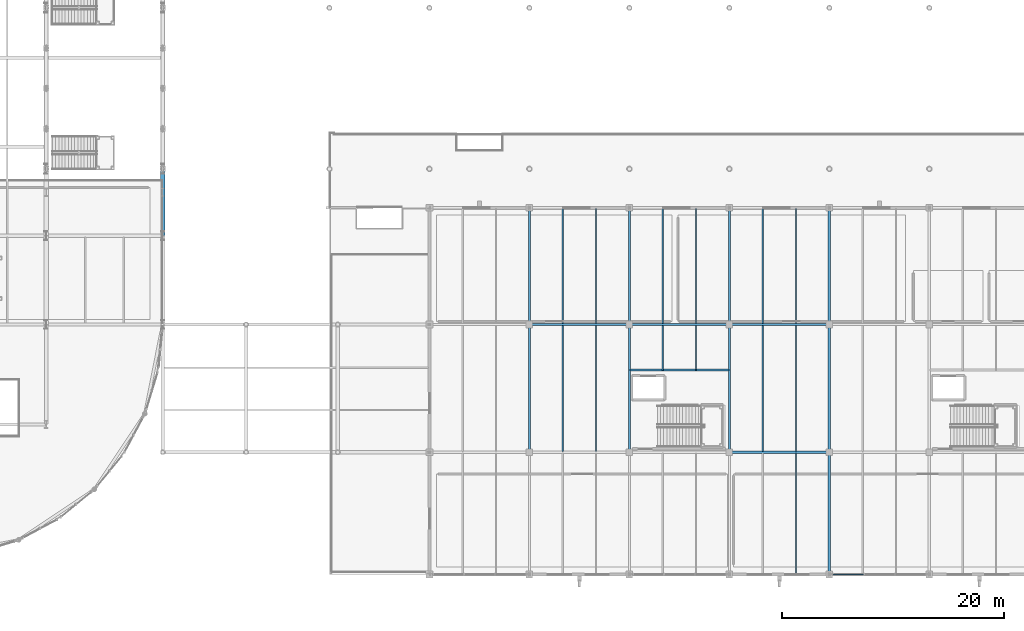
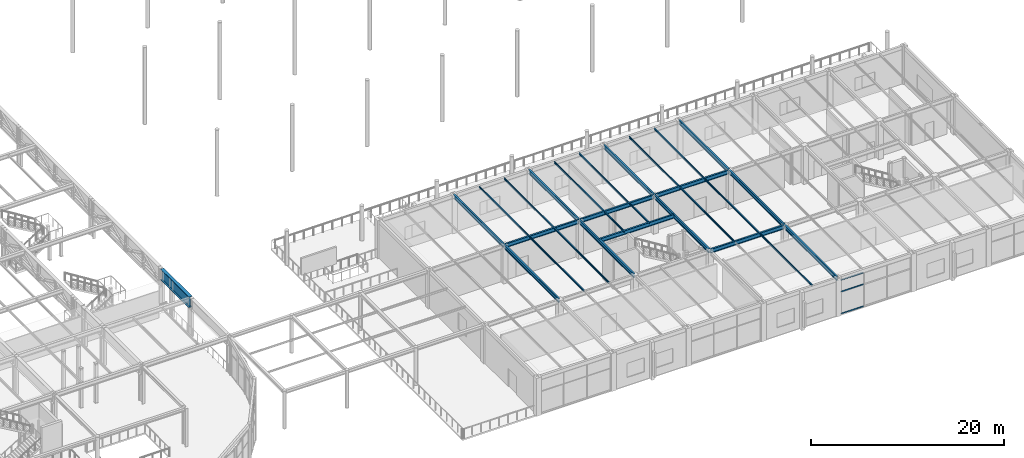
# One storey, part 56 of 143: 28 beams, 3 members, 1 element without a shape of its own.
"""IFC4 building model written with IfcOpenShell, lengths in metres."""

import ifcopenshell
import ifcopenshell.guid

model = None  # the IFC model being written
_history = None  # IfcOwnerHistory: only IFC2X3 demands one
_inside = {}  # id of a spatial element -> (the spatial element, [elements in it])
_under = {}  # id of a project, library or spatial element -> (it, [spatial elements below it])
_declared = {}  # id of a project -> (the project, [libraries it declares])
_typed = {}  # id of a type object -> (the type object, [elements of that type])
_made_of = {}  # id of a material, layer set ... -> (it, [elements and type objects made of it])


def new_model(schema):
    """Start an empty IFC model of exactly this schema.

    Asked for "IFC4X3", IfcOpenShell would pick the latest addendum, in which some entities
    have other attributes; the version numbers below select the first issue.
    IFC2X3 requires an IfcOwnerHistory on every rooted entity: one is made here for all.
    """
    global model, _history
    if schema == "IFC4X3":
        model = ifcopenshell.file(schema_version=(4, 3, 0, 0))
    else:
        model = ifcopenshell.file(schema=schema)
    _inside.clear()
    _under.clear()
    _declared.clear()
    _typed.clear()
    _made_of.clear()
    _history = None
    if model.schema == "IFC2X3":
        org = make("IfcOrganization", Name="unknown")
        user = make(
            "IfcPersonAndOrganization",
            ThePerson=make("IfcPerson", FamilyName="unknown"),
            TheOrganization=org,
        )
        app = make(
            "IfcApplication",
            ApplicationDeveloper=org,
            Version="unknown",
            ApplicationFullName="unknown",
            ApplicationIdentifier="unknown",
        )
        _history = make(
            "IfcOwnerHistory",
            OwningUser=user,
            OwningApplication=app,
            ChangeAction="ADDED",
            CreationDate=0,
        )
    return model


def make(cls, **values):
    """One entity of the class cls with the attributes given. An attribute that is None is left unset."""
    return model.create_entity(
        cls, **{name: value for name, value in values.items() if value is not None}
    )


def rooted(cls, **values):
    """An entity with a GlobalId (a new one), such as an element, a storey or a relation."""
    return make(cls, GlobalId=ifcopenshell.guid.new(), OwnerHistory=_history, **values)


def si_unit(unit_type, name, prefix=None):
    """IfcSIUnit, for example si_unit("LENGTHUNIT", "METRE", prefix="MILLI")."""
    return make("IfcSIUnit", UnitType=unit_type, Prefix=prefix, Name=name)


def assignment(units):
    """IfcUnitAssignment: the units of a project."""
    return None if units is None else make("IfcUnitAssignment", Units=units)


def point(xyz):
    """IfcCartesianPoint."""
    return None if xyz is None else make("IfcCartesianPoint", Coordinates=xyz)


def direction(xyz):
    """IfcDirection."""
    return None if xyz is None else make("IfcDirection", DirectionRatios=xyz)


def frame(location, z_axis=None, x_axis=None):
    """IfcAxis2Placement3D, a coordinate frame: its origin and axes. An axis left out is left unset."""
    return make(
        "IfcAxis2Placement3D",
        Location=point(location),
        Axis=direction(z_axis),
        RefDirection=direction(x_axis),
    )


def frame_2d(location, x_axis=None):
    """IfcAxis2Placement2D, a coordinate frame in the plane: its origin and x axis."""
    return make(
        "IfcAxis2Placement2D", Location=point(location), RefDirection=direction(x_axis)
    )


def origin():
    """The frame at (0, 0, 0) with its axes left unset."""
    return frame((0.0, 0.0, 0.0))


def origin_2d():
    """The frame at (0, 0) in the plane with its x axis left unset."""
    return frame_2d((0.0, 0.0))


def place(relative_to, where):
    """IfcLocalPlacement: puts the frame where relative to a parent placement (None: the world)."""
    return make(
        "IfcLocalPlacement", PlacementRelTo=relative_to, RelativePlacement=where
    )


def context(
    kind, dimensions, precision=None, world=None, true_north=None, identifier=None
):
    """IfcGeometricRepresentationContext, for example the 3D "Model" context."""
    return make(
        "IfcGeometricRepresentationContext",
        ContextIdentifier=identifier,
        ContextType=kind,
        CoordinateSpaceDimension=dimensions,
        Precision=precision,
        WorldCoordinateSystem=world,
        TrueNorth=true_north,
    )


def subcontext(parent, identifier, kind, view, scale=None):
    """IfcGeometricRepresentationSubContext, for example "Body" below "Model"."""
    return make(
        "IfcGeometricRepresentationSubContext",
        ContextIdentifier=identifier,
        ContextType=kind,
        ParentContext=parent,
        TargetScale=scale,
        TargetView=view,
    )


def project(units=None, contexts=None):
    """IfcProject with its units and contexts."""
    return rooted(
        "IfcProject",
        Name="project",
        RepresentationContexts=contexts,
        UnitsInContext=assignment(units),
    )


def spatial(cls, under=None, at=None, **own):
    """A site, building, storey or space (cls), placed at a placement, below another one or the project."""
    s = rooted(cls, ObjectPlacement=at, **own)
    if under is not None:
        _under.setdefault(under.id(), (under, []))[1].append(s)
    return s


def profile(cls, at=None, kind="AREA", **sizes):
    """A parametric profile (cls). Its sizes go by their IFC names, for example OverallWidth=200.0."""
    return make(cls, ProfileType=kind, Position=at, **sizes)


def hollow_rectangle(**sizes):
    """IfcRectangleHollowProfileDef."""
    return profile("IfcRectangleHollowProfileDef", **sizes)


def i_section(**sizes):
    """IfcIShapeProfileDef."""
    return profile("IfcIShapeProfileDef", **sizes)


def extrude(swept, where, along, depth):
    """IfcExtrudedAreaSolid: the profile swept, set in the frame where, extruded along a direction by depth."""
    return make(
        "IfcExtrudedAreaSolid",
        SweptArea=swept,
        Position=where,
        ExtrudedDirection=direction(along),
        Depth=depth,
    )


def shape(context_of_items, identifier, shape_type, items):
    """IfcShapeRepresentation: the items that make up one representation, for example the "Body"."""
    return make(
        "IfcShapeRepresentation",
        ContextOfItems=context_of_items,
        RepresentationIdentifier=identifier,
        RepresentationType=shape_type,
        Items=items,
    )


def material(Name=None, Category=None):
    """IfcMaterial."""
    return make("IfcMaterial", Name=Name, Category=Category)


def layer(
    of_material, thickness, ventilated=None, Name=None, Category=None, Priority=None
):
    """IfcMaterialLayer: one layer of a wall or slab, of a material (None: an air gap)."""
    return make(
        "IfcMaterialLayer",
        Material=of_material,
        LayerThickness=thickness,
        IsVentilated=ventilated,
        Name=Name,
        Category=Category,
        Priority=Priority,
    )


def layer_set(layers, Name=None):
    """IfcMaterialLayerSet."""
    return make("IfcMaterialLayerSet", MaterialLayers=layers, LayerSetName=Name)


def material_profile(
    of_material, cross_section, Name=None, Category=None, Priority=None
):
    """IfcMaterialProfile: a cross section and its material."""
    return make(
        "IfcMaterialProfile",
        Name=Name,
        Material=of_material,
        Profile=cross_section,
        Priority=Priority,
        Category=Category,
    )


def profile_set(profiles, Name=None, composite=None):
    """IfcMaterialProfileSet."""
    return make(
        "IfcMaterialProfileSet",
        Name=Name,
        MaterialProfiles=profiles,
        CompositeProfile=composite,
    )


def made_of(thing, what):
    """Note that an element or type object is made of a material, layer set ...; save() writes the relation."""
    if what is not None:
        _made_of.setdefault(what.id(), (what, []))[1].append(thing)
    return thing


def type_object(cls, material=None, **own):
    """A type object (cls), such as IfcWallType, which elements share."""
    return made_of(rooted(cls, **own), material)


def element(
    cls,
    number,
    at=None,
    inside=None,
    cuts=None,
    type_object=None,
    material=None,
    context=None,
    identifier="Body",
    shape_type=None,
    held_by="IfcProductDefinitionShape",
    body=None,
    shapes=None,
    **own,
):
    """One element of the class cls, such as IfcWall. Its Tag is "e" and its number.

    at: its placement. inside: the storey or other place that contains it. cuts: it is an
    opening in that element (IfcRelVoidsElement). A single representation is given by context,
    identifier, shape_type and body (its items); several are given by shapes. held_by: the class
    of the entity that holds the representations. save() writes the other relations.
    """
    e = rooted(cls, Tag="e%d" % number, ObjectPlacement=at, **own)
    if body is not None:
        shapes = [shape(context, identifier, shape_type, body)]
    if shapes is not None:
        e.Representation = make(held_by, Representations=shapes)
    if inside is not None:
        _inside.setdefault(inside.id(), (inside, []))[1].append(e)
    if cuts is not None:
        rooted(
            "IfcRelVoidsElement", RelatingBuildingElement=cuts, RelatedOpeningElement=e
        )
    if type_object is not None:
        _typed.setdefault(type_object.id(), (type_object, []))[1].append(e)
    return made_of(e, material)


def aggregate(whole, parts):
    """IfcRelAggregates: a whole, such as a stair, and the parts it consists of."""
    return rooted("IfcRelAggregates", RelatingObject=whole, RelatedObjects=parts)


def save(model, path):
    """Write the relations noted so far, then the file.

    IfcRelAggregates (storeys below a building ...), IfcRelContainedInSpatialStructure (elements
    in a storey), IfcRelDefinesByType, IfcRelAssociatesMaterial and IfcRelDeclares: one each for
    every whole, place, type object, material and project.
    """
    for whole, parts in _under.values():
        aggregate(whole, parts)
    for where, things in _inside.values():
        rooted(
            "IfcRelContainedInSpatialStructure",
            RelatedElements=things,
            RelatingStructure=where,
        )
    for kind, things in _typed.values():
        rooted("IfcRelDefinesByType", RelatedObjects=things, RelatingType=kind)
    for what, things in _made_of.values():
        rooted("IfcRelAssociatesMaterial", RelatedObjects=things, RelatingMaterial=what)
    for by, libraries in _declared.values():
        rooted("IfcRelDeclares", RelatingContext=by, RelatedDefinitions=libraries)
    model.write(path)


model = new_model("IFC4")

# Units and contexts
model_context = context("Model", 3, precision=1e-05, world=origin(), true_north=direction((0.0, 1.0)))
body_context = subcontext(model_context, "Body", "Model", "MODEL_VIEW")
ifc_project = project(units=[si_unit("LENGTHUNIT", "METRE"), si_unit("AREAUNIT", "SQUARE_METRE"), si_unit("VOLUMEUNIT", "CUBIC_METRE"), si_unit("PLANEANGLEUNIT", "RADIAN"), si_unit("MASSUNIT", "GRAM", prefix="KILO")], contexts=[model_context])

# Site, building, storey
site_placement = place(None, origin())
site = spatial("IfcSite", under=ifc_project, at=site_placement, CompositionType="ELEMENT")
building_placement = place(site_placement, origin())
building = spatial("IfcBuilding", under=site, at=building_placement, Name="Marlcrest Central Station", CompositionType="ELEMENT")
storey_placement = place(building_placement, frame((0.0, 0.0, 4.800048828125)))
storey = spatial("IfcBuildingStorey", under=building, at=storey_placement, Name="L01", CompositionType="ELEMENT", Elevation=4.800048828125)

# Beams
ifc_material_1 = material(Name="Steel S355", Category="steel")
ifc_material_profile_1 = material_profile(ifc_material_1, i_section(OverallWidth=0.199951171875, OverallDepth=0.5, WebThickness=0.01025390625, FlangeThickness=0.01611328125, FilletRadius=0.02099609375, at=origin_2d()), Name="IPE 500")
ifc_profile_set_1 = profile_set([ifc_material_profile_1], Name="Steel S355")
beam_type_1 = type_object("IfcBeamType", Name="BM-05", PredefinedType="BEAM", material=ifc_profile_set_1)
for number, where, z_axis, x_axis, name in (
    (1, (180.06005859375, 11.0, 4.56494140625), (1.0, 0.0, 0.0), (0.0, 1.0, 0.0), "bm-BM-05-L01-00869"),
    (2, (162.06005859375, 22.5, 4.56494140625), (1.0, 0.0, 0.0), (0.0, 1.0, 0.0), "bm-BM-05-L01-00874"),
    (3, (171.06005859375, 22.5, 4.56494140625), (1.0, 0.0, 0.0), (0.0, 1.0, 0.0), "bm-BM-05-L01-00875"),
    (4, (180.06005859375, 22.5, 4.56494140625), (1.0, 0.0, 0.0), (0.0, 1.0, 0.0), "bm-BM-05-L01-00876"),
):
    element("IfcBeam", number, at=place(storey_placement, frame(where, z_axis=z_axis, x_axis=x_axis)), inside=storey, type_object=beam_type_1, Name=name, PredefinedType="BEAM", context=body_context, shape_type="SweptSolid", body=[
        extrude(i_section(OverallWidth=0.199951171875, OverallDepth=0.5, WebThickness=0.01025390625, FlangeThickness=0.01611328125, FilletRadius=0.02099609375, at=origin_2d()), origin(), (0.0, 0.0, 1.0), 8.8798828125),
    ])
beam_1_placement = place(storey_placement, frame((162.0, 11.06005859375, 4.56494140625), z_axis=(0.0, 1.0, 0.0), x_axis=(-1.0, 0.0, 0.0)))
element("IfcBeam", 5, at=beam_1_placement, inside=storey, type_object=beam_type_1, Name="bm-BM-05-L01-00891", PredefinedType="BEAM", context=body_context, shape_type="SweptSolid", body=[
    extrude(i_section(OverallWidth=0.199951171875, OverallDepth=0.5, WebThickness=0.01025390625, FlangeThickness=0.01611328125, FilletRadius=0.02099609375, at=origin_2d()), origin(), (0.0, 0.0, 1.0), 11.3798828125),
])
beam_2_placement = place(storey_placement, frame((162.0, 22.56005859375, 4.56494140625), z_axis=(0.0, 1.0, 0.0), x_axis=(-1.0, 0.0, 0.0)))
element("IfcBeam", 6, at=beam_2_placement, inside=storey, type_object=beam_type_1, Name="bm-BM-05-L01-00892", PredefinedType="BEAM", context=body_context, shape_type="SweptSolid", body=[
    extrude(i_section(OverallWidth=0.199951171875, OverallDepth=0.5, WebThickness=0.01025390625, FlangeThickness=0.01611328125, FilletRadius=0.02099609375, at=origin_2d()), origin(), (0.0, 0.0, 1.0), 10.3798828125),
])
beam_3_placement = place(storey_placement, frame((171.0, 11.06005859375, 4.56494140625), z_axis=(0.0, 1.0, 0.0), x_axis=(-1.0, 0.0, 0.0)))
element("IfcBeam", 7, at=beam_3_placement, inside=storey, type_object=beam_type_1, Name="bm-BM-05-L01-00894", PredefinedType="BEAM", context=body_context, shape_type="SweptSolid", body=[
    extrude(i_section(OverallWidth=0.199951171875, OverallDepth=0.5, WebThickness=0.01025390625, FlangeThickness=0.01611328125, FilletRadius=0.02099609375, at=origin_2d()), origin(), (0.0, 0.0, 1.0), 11.3798828125),
])
beam_4_placement = place(storey_placement, frame((171.0, 22.56005859375, 4.56494140625), z_axis=(0.0, 1.0, 0.0), x_axis=(-1.0, 0.0, 0.0)))
element("IfcBeam", 8, at=beam_4_placement, inside=storey, type_object=beam_type_1, Name="bm-BM-05-L01-00895", PredefinedType="BEAM", context=body_context, shape_type="SweptSolid", body=[
    extrude(i_section(OverallWidth=0.199951171875, OverallDepth=0.5, WebThickness=0.01025390625, FlangeThickness=0.01611328125, FilletRadius=0.02099609375, at=origin_2d()), origin(), (0.0, 0.0, 1.0), 10.3798828125),
])
beam_5_placement = place(storey_placement, frame((180.0, 11.06005859375, 4.56494140625), z_axis=(0.0, 1.0, 0.0), x_axis=(-1.0, 0.0, 0.0)))
element("IfcBeam", 9, at=beam_5_placement, inside=storey, type_object=beam_type_1, Name="bm-BM-05-L01-00897", PredefinedType="BEAM", context=body_context, shape_type="SweptSolid", body=[
    extrude(i_section(OverallWidth=0.199951171875, OverallDepth=0.5, WebThickness=0.01025390625, FlangeThickness=0.01611328125, FilletRadius=0.02099609375, at=origin_2d()), origin(), (0.0, 0.0, 1.0), 11.3798828125),
])
beam_6_placement = place(storey_placement, frame((180.0, 22.56005859375, 4.56494140625), z_axis=(0.0, 1.0, 0.0), x_axis=(-1.0, 0.0, 0.0)))
element("IfcBeam", 10, at=beam_6_placement, inside=storey, type_object=beam_type_1, Name="bm-BM-05-L01-00898", PredefinedType="BEAM", context=body_context, shape_type="SweptSolid", body=[
    extrude(i_section(OverallWidth=0.199951171875, OverallDepth=0.5, WebThickness=0.01025390625, FlangeThickness=0.01611328125, FilletRadius=0.02099609375, at=origin_2d()), origin(), (0.0, 0.0, 1.0), 10.3798828125),
])
beam_7_placement = place(storey_placement, frame((189.0, 0.06005859375, 4.56494140625), z_axis=(0.0, 1.0, 0.0), x_axis=(-1.0, 0.0, 0.0)))
element("IfcBeam", 11, at=beam_7_placement, inside=storey, type_object=beam_type_1, Name="bm-BM-05-L01-00899", PredefinedType="BEAM", context=body_context, shape_type="SweptSolid", body=[
    extrude(i_section(OverallWidth=0.199951171875, OverallDepth=0.5, WebThickness=0.01025390625, FlangeThickness=0.01611328125, FilletRadius=0.02099609375, at=origin_2d()), origin(), (0.0, 0.0, 1.0), 10.8798828125),
])
beam_8_placement = place(storey_placement, frame((189.0, 11.06005859375, 4.56494140625), z_axis=(0.0, 1.0, 0.0), x_axis=(-1.0, 0.0, 0.0)))
element("IfcBeam", 12, at=beam_8_placement, inside=storey, type_object=beam_type_1, Name="bm-BM-05-L01-00900", PredefinedType="BEAM", context=body_context, shape_type="SweptSolid", body=[
    extrude(i_section(OverallWidth=0.199951171875, OverallDepth=0.5, WebThickness=0.01025390625, FlangeThickness=0.01611328125, FilletRadius=0.02099609375, at=origin_2d()), origin(), (0.0, 0.0, 1.0), 11.3798828125),
])
beam_9_placement = place(storey_placement, frame((189.0, 22.56005859375, 4.56494140625), z_axis=(0.0, 1.0, 0.0), x_axis=(-1.0, 0.0, 0.0)))
element("IfcBeam", 13, at=beam_9_placement, inside=storey, type_object=beam_type_1, Name="bm-BM-05-L01-00901", PredefinedType="BEAM", context=body_context, shape_type="SweptSolid", body=[
    extrude(i_section(OverallWidth=0.199951171875, OverallDepth=0.5, WebThickness=0.01025390625, FlangeThickness=0.01611328125, FilletRadius=0.02099609375, at=origin_2d()), origin(), (0.0, 0.0, 1.0), 10.3798828125),
])
beam_10_placement = place(storey_placement, frame((171.0400390625, 18.39990234375, 4.56494140625), z_axis=(1.0, 0.0, 0.0), x_axis=(0.0, 1.0, 0.0)))
element("IfcBeam", 14, at=beam_10_placement, inside=storey, type_object=beam_type_1, Name="bm-BM-05-L01-00953", PredefinedType="BEAM", context=body_context, shape_type="SweptSolid", body=[
    extrude(i_section(OverallWidth=0.199951171875, OverallDepth=0.5, WebThickness=0.01025390625, FlangeThickness=0.01611328125, FilletRadius=0.02099609375, at=origin_2d()), origin(), (0.0, 0.0, 1.0), 8.919921875),
])
ifc_material_profile_2 = material_profile(ifc_material_1, i_section(OverallWidth=0.110107421875, OverallDepth=0.219970703125, WebThickness=0.005859375, FlangeThickness=0.00927734375, FilletRadius=0.011962890625, at=origin_2d()), Name="IPE 220")
ifc_profile_set_2 = profile_set([ifc_material_profile_2], Name="Steel S355")
beam_type_2 = type_object("IfcBeamType", Name="JS-02", PredefinedType="JOIST", material=ifc_profile_set_2)
beam_11_placement = place(storey_placement, frame((165.0, 11.0830078125, 4.704833984375), z_axis=(0.0, 1.0, 0.0), x_axis=(-1.0, 0.0, 0.0)))
element("IfcBeam", 15, at=beam_11_placement, inside=storey, type_object=beam_type_2, Name="bm-JS-02-L01-00918", PredefinedType="JOIST", context=body_context, shape_type="SweptSolid", body=[
    extrude(i_section(OverallWidth=0.110107421875, OverallDepth=0.219970703125, WebThickness=0.005859375, FlangeThickness=0.00927734375, FilletRadius=0.011962890625, at=origin_2d()), origin(), (0.0, 0.0, 1.0), 11.333984375),
])
beam_12_placement = place(storey_placement, frame((165.0, 22.5830078125, 4.704833984375), z_axis=(0.0, 1.0, 0.0), x_axis=(-1.0, 0.0, 0.0)))
element("IfcBeam", 16, at=beam_12_placement, inside=storey, type_object=beam_type_2, Name="bm-JS-02-L01-00919", PredefinedType="JOIST", context=body_context, shape_type="SweptSolid", body=[
    extrude(i_section(OverallWidth=0.110107421875, OverallDepth=0.219970703125, WebThickness=0.005859375, FlangeThickness=0.00927734375, FilletRadius=0.011962890625, at=origin_2d()), origin(), (0.0, 0.0, 1.0), 10.333984375),
])
beam_13_placement = place(storey_placement, frame((168.0, 11.0830078125, 4.704833984375), z_axis=(0.0, 1.0, 0.0), x_axis=(-1.0, 0.0, 0.0)))
element("IfcBeam", 17, at=beam_13_placement, inside=storey, type_object=beam_type_2, Name="bm-JS-02-L01-00921", PredefinedType="JOIST", context=body_context, shape_type="SweptSolid", body=[
    extrude(i_section(OverallWidth=0.110107421875, OverallDepth=0.219970703125, WebThickness=0.005859375, FlangeThickness=0.00927734375, FilletRadius=0.011962890625, at=origin_2d()), origin(), (0.0, 0.0, 1.0), 11.333984375),
])
beam_14_placement = place(storey_placement, frame((168.0, 22.5830078125, 4.704833984375), z_axis=(0.0, 1.0, 0.0), x_axis=(-1.0, 0.0, 0.0)))
element("IfcBeam", 18, at=beam_14_placement, inside=storey, type_object=beam_type_2, Name="bm-JS-02-L01-00922", PredefinedType="JOIST", context=body_context, shape_type="SweptSolid", body=[
    extrude(i_section(OverallWidth=0.110107421875, OverallDepth=0.219970703125, WebThickness=0.005859375, FlangeThickness=0.00927734375, FilletRadius=0.011962890625, at=origin_2d()), origin(), (0.0, 0.0, 1.0), 10.333984375),
])
beam_15_placement = place(storey_placement, frame((174.0, 18.360107421875, 4.704833984375), z_axis=(0.0, 1.0, 0.0), x_axis=(-1.0, 0.0, 0.0)))
element("IfcBeam", 19, at=beam_15_placement, inside=storey, type_object=beam_type_2, Name="bm-JS-02-L01-00924", PredefinedType="JOIST", context=body_context, shape_type="SweptSolid", body=[
    extrude(i_section(OverallWidth=0.110107421875, OverallDepth=0.219970703125, WebThickness=0.005859375, FlangeThickness=0.00927734375, FilletRadius=0.011962890625, at=origin_2d()), origin(), (0.0, 0.0, 1.0), 4.056884765625),
])
beam_16_placement = place(storey_placement, frame((174.0, 22.5830078125, 4.704833984375), z_axis=(0.0, 1.0, 0.0), x_axis=(-1.0, 0.0, 0.0)))
element("IfcBeam", 20, at=beam_16_placement, inside=storey, type_object=beam_type_2, Name="bm-JS-02-L01-00925", PredefinedType="JOIST", context=body_context, shape_type="SweptSolid", body=[
    extrude(i_section(OverallWidth=0.110107421875, OverallDepth=0.219970703125, WebThickness=0.005859375, FlangeThickness=0.00927734375, FilletRadius=0.011962890625, at=origin_2d()), origin(), (0.0, 0.0, 1.0), 10.333984375),
])
beam_17_placement = place(storey_placement, frame((177.0, 18.360107421875, 4.704833984375), z_axis=(0.0, 1.0, 0.0), x_axis=(-1.0, 0.0, 0.0)))
element("IfcBeam", 21, at=beam_17_placement, inside=storey, type_object=beam_type_2, Name="bm-JS-02-L01-00927", PredefinedType="JOIST", context=body_context, shape_type="SweptSolid", body=[
    extrude(i_section(OverallWidth=0.110107421875, OverallDepth=0.219970703125, WebThickness=0.005859375, FlangeThickness=0.00927734375, FilletRadius=0.011962890625, at=origin_2d()), origin(), (0.0, 0.0, 1.0), 4.056884765625),
])
beam_18_placement = place(storey_placement, frame((177.0, 22.5830078125, 4.704833984375), z_axis=(0.0, 1.0, 0.0), x_axis=(-1.0, 0.0, 0.0)))
element("IfcBeam", 22, at=beam_18_placement, inside=storey, type_object=beam_type_2, Name="bm-JS-02-L01-00928", PredefinedType="JOIST", context=body_context, shape_type="SweptSolid", body=[
    extrude(i_section(OverallWidth=0.110107421875, OverallDepth=0.219970703125, WebThickness=0.005859375, FlangeThickness=0.00927734375, FilletRadius=0.011962890625, at=origin_2d()), origin(), (0.0, 0.0, 1.0), 10.333984375),
])
beam_19_placement = place(storey_placement, frame((183.0, 11.0830078125, 4.704833984375), z_axis=(0.0, 1.0, 0.0), x_axis=(-1.0, 0.0, 0.0)))
element("IfcBeam", 23, at=beam_19_placement, inside=storey, type_object=beam_type_2, Name="bm-JS-02-L01-00930", PredefinedType="JOIST", context=body_context, shape_type="SweptSolid", body=[
    extrude(i_section(OverallWidth=0.110107421875, OverallDepth=0.219970703125, WebThickness=0.005859375, FlangeThickness=0.00927734375, FilletRadius=0.011962890625, at=origin_2d()), origin(), (0.0, 0.0, 1.0), 11.333984375),
])
beam_20_placement = place(storey_placement, frame((183.0, 22.5830078125, 4.704833984375), z_axis=(0.0, 1.0, 0.0), x_axis=(-1.0, 0.0, 0.0)))
element("IfcBeam", 24, at=beam_20_placement, inside=storey, type_object=beam_type_2, Name="bm-JS-02-L01-00931", PredefinedType="JOIST", context=body_context, shape_type="SweptSolid", body=[
    extrude(i_section(OverallWidth=0.110107421875, OverallDepth=0.219970703125, WebThickness=0.005859375, FlangeThickness=0.00927734375, FilletRadius=0.011962890625, at=origin_2d()), origin(), (0.0, 0.0, 1.0), 10.333984375),
])
beam_21_placement = place(storey_placement, frame((186.0, 0.0830078125, 4.704833984375), z_axis=(0.0, 1.0, 0.0), x_axis=(-1.0, 0.0, 0.0)))
element("IfcBeam", 25, at=beam_21_placement, inside=storey, type_object=beam_type_2, Name="bm-JS-02-L01-00932", PredefinedType="JOIST", context=body_context, shape_type="SweptSolid", body=[
    extrude(i_section(OverallWidth=0.110107421875, OverallDepth=0.219970703125, WebThickness=0.005859375, FlangeThickness=0.00927734375, FilletRadius=0.011962890625, at=origin_2d()), origin(), (0.0, 0.0, 1.0), 10.833984375),
])
beam_22_placement = place(storey_placement, frame((186.0, 11.0830078125, 4.704833984375), z_axis=(0.0, 1.0, 0.0), x_axis=(-1.0, 0.0, 0.0)))
element("IfcBeam", 26, at=beam_22_placement, inside=storey, type_object=beam_type_2, Name="bm-JS-02-L01-00933", PredefinedType="JOIST", context=body_context, shape_type="SweptSolid", body=[
    extrude(i_section(OverallWidth=0.110107421875, OverallDepth=0.219970703125, WebThickness=0.005859375, FlangeThickness=0.00927734375, FilletRadius=0.011962890625, at=origin_2d()), origin(), (0.0, 0.0, 1.0), 11.333984375),
])
beam_23_placement = place(storey_placement, frame((186.0, 22.5830078125, 4.704833984375), z_axis=(0.0, 1.0, 0.0), x_axis=(-1.0, 0.0, 0.0)))
element("IfcBeam", 27, at=beam_23_placement, inside=storey, type_object=beam_type_2, Name="bm-JS-02-L01-00934", PredefinedType="JOIST", context=body_context, shape_type="SweptSolid", body=[
    extrude(i_section(OverallWidth=0.110107421875, OverallDepth=0.219970703125, WebThickness=0.005859375, FlangeThickness=0.00927734375, FilletRadius=0.011962890625, at=origin_2d()), origin(), (0.0, 0.0, 1.0), 10.333984375),
])
ifc_material_profile_3 = material_profile(ifc_material_1, i_section(OverallWidth=0.39990234375, OverallDepth=1.35009765625, WebThickness=0.02197265625, FlangeThickness=0.034912109375, at=origin_2d()), Name="PG 1350x400")
ifc_profile_set_3 = profile_set([ifc_material_profile_3], Name="Steel S355")
beam_type_3 = type_object("IfcBeamType", Name="TG-01", PredefinedType="USERDEFINED", material=ifc_profile_set_3)
beam_24_placement = place(storey_placement, frame((129.0, 30.52001953125, 4.139892578125), z_axis=(0.0, 1.0, 0.0), x_axis=(-1.0, 0.0, 0.0)))
element("IfcBeam", 28, at=beam_24_placement, inside=storey, type_object=beam_type_3, Name="bm-TG-01-L01-01251", ObjectType="TRANSFER_GIRDER", PredefinedType="USERDEFINED", context=body_context, shape_type="SweptSolid", body=[
    extrude(i_section(OverallWidth=0.39990234375, OverallDepth=1.35009765625, WebThickness=0.02197265625, FlangeThickness=0.034912109375, at=origin_2d()), origin(), (0.0, 0.0, 1.0), 5.8798828125),
])

# Curtain wall, members
ifc_material_2 = material(Name="Anodised aluminium and hurricane laminated glass", Category="aluminium")
ifc_layer = layer(ifc_material_2, 0.179931640625, Name="CW-S1")
ifc_layer_set = layer_set([ifc_layer], Name="Anodised aluminium and hurricane laminated glass")
curtain_wall_type = type_object("IfcCurtainWallType", Name="CW-S1", PredefinedType="USERDEFINED", material=ifc_layer_set)
curtain_wall_placement = place(storey_placement, origin())
curtain_wall = element("IfcCurtainWall", 29, at=curtain_wall_placement, inside=storey, type_object=curtain_wall_type, Name="cw-L01-0151", ObjectType="STICK_CURTAIN_WALL", PredefinedType="USERDEFINED")
ifc_material_3 = material(Name="Anodised aluminium 6063-T6", Category="aluminium")
ifc_material_profile_4 = material_profile(ifc_material_3, hollow_rectangle(XDim=0.06005859375, YDim=0.14990234375, WallThickness=0.00390625, at=origin_2d()), Name="AA-RHS 150x60x4")
ifc_profile_set_4 = profile_set([ifc_material_profile_4], Name="Anodised aluminium 6063-T6")
member_type = type_object("IfcMemberType", Name="TR-01", PredefinedType="USERDEFINED", material=ifc_profile_set_4)
member_1_placement = place(storey_placement, frame((192.06689453125, 0.0, 0.0400390625), z_axis=(-1.0, 0.0, 0.0), x_axis=(0.0, -1.0, 0.0)))
member_1 = element("IfcMember", 30, at=member_1_placement, type_object=member_type, Name="cw-L01-0151-tr-2-sill", ObjectType="TRANSOM", PredefinedType="USERDEFINED", context=body_context, shape_type="SweptSolid", body=[
    extrude(hollow_rectangle(XDim=0.06005859375, YDim=0.14990234375, WallThickness=0.00390625, at=origin_2d()), origin(), (0.0, 0.0, 1.0), 2.73388671875),
])
member_2_placement = place(storey_placement, frame((192.06689453125, 0.0, 2.827880859375), z_axis=(-1.0, 0.0, 0.0), x_axis=(0.0, -1.0, 0.0)))
member_2 = element("IfcMember", 31, at=member_2_placement, type_object=member_type, Name="cw-L01-0151-tr-2-mid", ObjectType="TRANSOM", PredefinedType="USERDEFINED", context=body_context, shape_type="SweptSolid", body=[
    extrude(hollow_rectangle(XDim=0.06005859375, YDim=0.14990234375, WallThickness=0.00390625, at=origin_2d()), origin(), (0.0, 0.0, 1.0), 2.73388671875),
])
member_3_placement = place(storey_placement, frame((192.06689453125, 0.0, 4.31005859375), z_axis=(-1.0, 0.0, 0.0), x_axis=(0.0, -1.0, 0.0)))
member_3 = element("IfcMember", 32, at=member_3_placement, type_object=member_type, Name="cw-L01-0151-tr-2-head", ObjectType="TRANSOM", PredefinedType="USERDEFINED", context=body_context, shape_type="SweptSolid", body=[
    extrude(hollow_rectangle(XDim=0.06005859375, YDim=0.14990234375, WallThickness=0.00390625, at=origin_2d()), origin(), (0.0, 0.0, 1.0), 2.73388671875),
])
aggregate(curtain_wall, [member_1, member_2, member_3])

save(model, "model.ifc")
